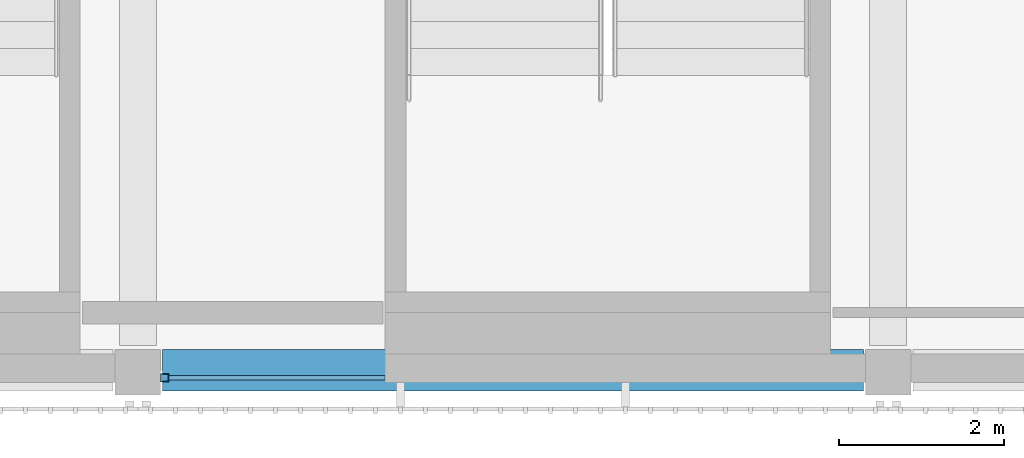
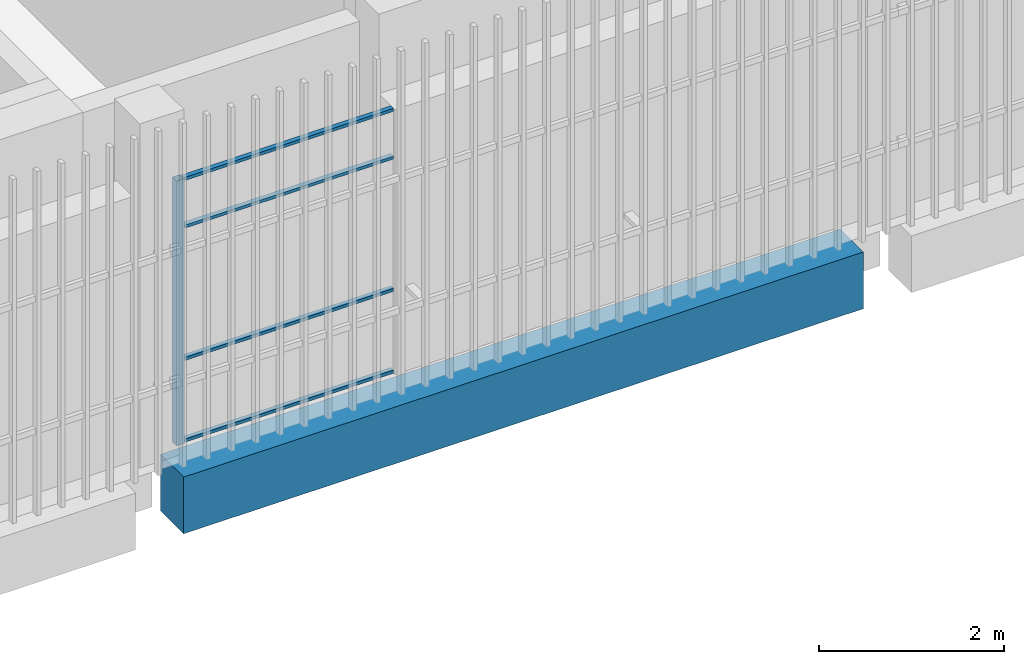
# One storey, part 46 of 126: 5 members, 1 beam, 1 element without a shape of its own.
"""IFC4 building model written with IfcOpenShell, lengths in metres."""

from ifc_helpers import new_model, si_unit, direction, frame, origin, origin_2d, place, context, subcontext, project, spatial, rectangle, hollow_rectangle, extrude, material, layer, layer_set, material_profile, profile_set, type_object, element, aggregate, save


model = new_model("IFC4")

# Units and contexts
model_context = context("Model", 3, precision=1e-05, world=origin(), true_north=direction((0.0, 1.0)))
body_context = subcontext(model_context, "Body", "Model", "MODEL_VIEW")
ifc_project = project(units=[si_unit("LENGTHUNIT", "METRE"), si_unit("AREAUNIT", "SQUARE_METRE"), si_unit("VOLUMEUNIT", "CUBIC_METRE"), si_unit("PLANEANGLEUNIT", "RADIAN"), si_unit("MASSUNIT", "GRAM", prefix="KILO")], contexts=[model_context])

# Site, building, storey
site_placement = place(None, origin())
site = spatial("IfcSite", under=ifc_project, at=site_placement, CompositionType="ELEMENT")
building_placement = place(site_placement, origin())
building = spatial("IfcBuilding", under=site, at=building_placement, Name="Shirokan Park Arena", CompositionType="ELEMENT")
storey_placement = place(building_placement, frame((0.0, 0.0, 6.3701171875)))
storey = spatial("IfcBuildingStorey", under=building, at=storey_placement, Name="L01", CompositionType="ELEMENT", Elevation=6.3701171875)

# Curtain wall, member
ifc_material_1 = material(Name="Steel and glass curtain wall", Category="steel")
ifc_layer = layer(ifc_material_1, 0.1201171875)
ifc_layer_set = layer_set([ifc_layer], Name="Steel and glass curtain wall 120 mm")
curtain_wall_type = type_object("IfcCurtainWallType", Name="Curtain wall corner block side bay 120", PredefinedType="NOTDEFINED", material=ifc_layer_set)
curtain_wall_placement = place(storey_placement, origin())
curtain_wall = element("IfcCurtainWall", 1, at=curtain_wall_placement, inside=storey, type_object=curtain_wall_type, Name="Curtain wall south bay 15 L01", PredefinedType="NOTDEFINED")
ifc_material_2 = material(Name="Steel S355", Category="steel")
ifc_material_profile_1 = material_profile(ifc_material_2, hollow_rectangle(XDim=0.10009765625, YDim=0.10009765625, WallThickness=0.006103515625, at=origin_2d()), Name="RHS 100x100x6")
ifc_profile_set_1 = profile_set([ifc_material_profile_1], Name="Steel S355")
member_type_1 = type_object("IfcMemberType", Name="Mullion RHS 100x100x6", PredefinedType="MULLION", material=ifc_profile_set_1)
member_1_placement = place(storey_placement, frame((127.72509765625, -0.090087890625, 0.0), z_axis=(0.0, 0.0, 1.0), x_axis=(0.0, 1.0, 0.0)))
member_1 = element("IfcMember", 2, at=member_1_placement, type_object=member_type_1, Name="CW3 mullion 1", PredefinedType="MULLION", context=body_context, shape_type="SweptSolid", body=[
    extrude(hollow_rectangle(XDim=0.10009765625, YDim=0.10009765625, WallThickness=0.006103515625, at=origin_2d()), origin(), (0.0, 0.0, 1.0), 3.5),
])

# Beam
ifc_material_3 = material(Name="Concrete C35", Category="concrete")
ifc_material_profile_2 = material_profile(ifc_material_3, rectangle(XDim=0.5, YDim=0.75, at=origin_2d()), Name="500x750")
ifc_profile_set_2 = profile_set([ifc_material_profile_2], Name="Concrete C35")
beam_type = type_object("IfcBeamType", Name="RC girder 500x750", PredefinedType="BEAM", material=ifc_profile_set_2)
beam_placement = place(storey_placement, frame((127.7001953125, 0.0, -0.72509765625), z_axis=(1.0, 0.0, 0.0), x_axis=(0.0, 1.0, 0.0)))
element("IfcBeam", 3, at=beam_placement, inside=storey, type_object=beam_type, Name="Girder 15A-16A L01", PredefinedType="BEAM", context=body_context, shape_type="SweptSolid", body=[
    extrude(rectangle(XDim=0.5, YDim=0.75, at=origin_2d()), origin(), (0.0, 0.0, 1.0), 8.499755859375),
])

# Member
ifc_material_profile_3 = material_profile(ifc_material_2, hollow_rectangle(XDim=0.06005859375, YDim=0.0400390625, WallThickness=0.00390625, at=origin_2d()), Name="RHS 60x40x4")
ifc_profile_set_3 = profile_set([ifc_material_profile_3], Name="Steel S355")
member_type_2 = type_object("IfcMemberType", Name="Transom RHS 60x40x4", PredefinedType="MULLION", material=ifc_profile_set_3)
member_2_placement = place(storey_placement, frame((127.77490234375, -0.090087890625, 0.019775390625), z_axis=(1.0, 0.0, 0.0), x_axis=(0.0, 1.0, 0.0)))
member_2 = element("IfcMember", 4, at=member_2_placement, type_object=member_type_2, Name="CW3 transom 1.1", PredefinedType="MULLION", context=body_context, shape_type="SweptSolid", body=[
    extrude(hollow_rectangle(XDim=0.06005859375, YDim=0.0400390625, WallThickness=0.00390625, at=origin_2d()), origin(), (0.0, 0.0, 1.0), 2.625),
])

member_3_placement = place(storey_placement, frame((127.77490234375, -0.090087890625, 1.099853515625), z_axis=(1.0, 0.0, 0.0), x_axis=(0.0, 1.0, 0.0)))
member_3 = element("IfcMember", 5, at=member_3_placement, type_object=member_type_2, Name="CW3 transom 1.2", PredefinedType="MULLION", context=body_context, shape_type="SweptSolid", body=[
    extrude(hollow_rectangle(XDim=0.06005859375, YDim=0.0400390625, WallThickness=0.00390625, at=origin_2d()), origin(), (0.0, 0.0, 1.0), 2.625),
])

member_4_placement = place(storey_placement, frame((127.77490234375, -0.090087890625, 2.849853515625), z_axis=(1.0, 0.0, 0.0), x_axis=(0.0, 1.0, 0.0)))
member_4 = element("IfcMember", 6, at=member_4_placement, type_object=member_type_2, Name="CW3 transom 1.3", PredefinedType="MULLION", context=body_context, shape_type="SweptSolid", body=[
    extrude(hollow_rectangle(XDim=0.06005859375, YDim=0.0400390625, WallThickness=0.00390625, at=origin_2d()), origin(), (0.0, 0.0, 1.0), 2.625),
])

member_5_placement = place(storey_placement, frame((127.77490234375, -0.090087890625, 3.47998046875), z_axis=(1.0, 0.0, 0.0), x_axis=(0.0, 1.0, 0.0)))
member_5 = element("IfcMember", 7, at=member_5_placement, type_object=member_type_2, Name="CW3 transom 1.4", PredefinedType="MULLION", context=body_context, shape_type="SweptSolid", body=[
    extrude(hollow_rectangle(XDim=0.06005859375, YDim=0.0400390625, WallThickness=0.00390625, at=origin_2d()), origin(), (0.0, 0.0, 1.0), 2.625),
])

aggregate(curtain_wall, [member_1, member_2, member_3, member_4, member_5])

save(model, "model.ifc")
